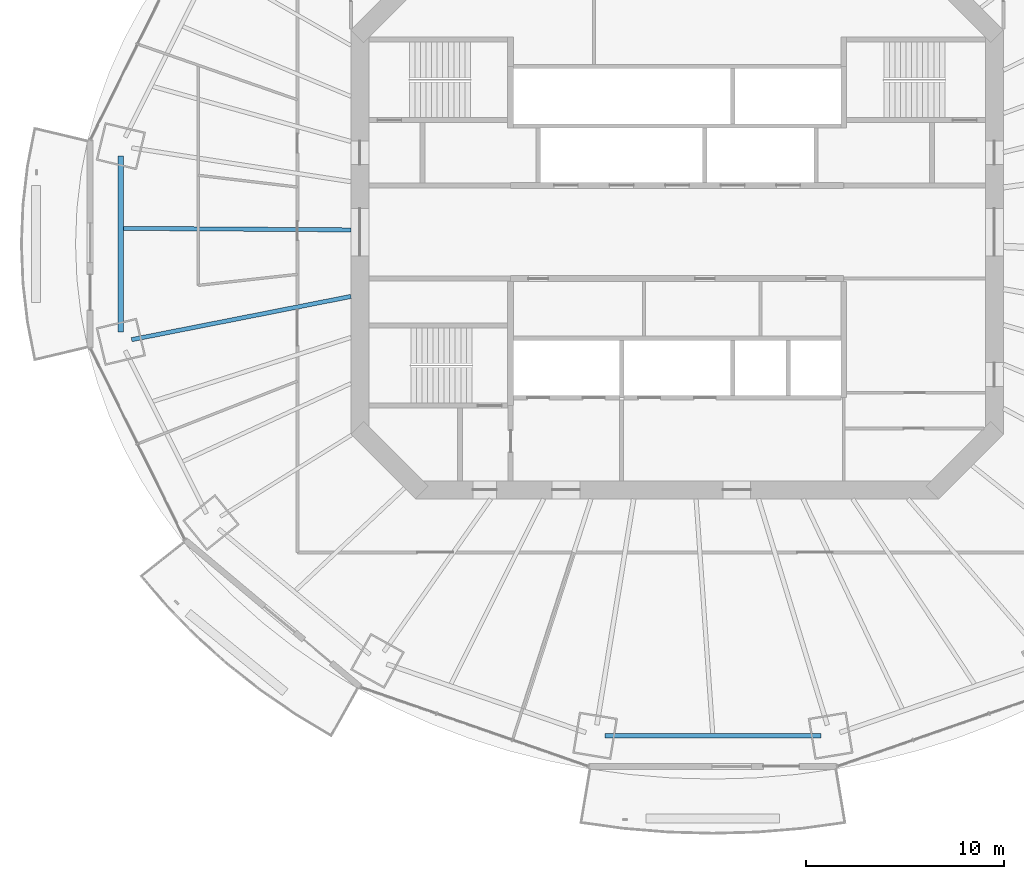
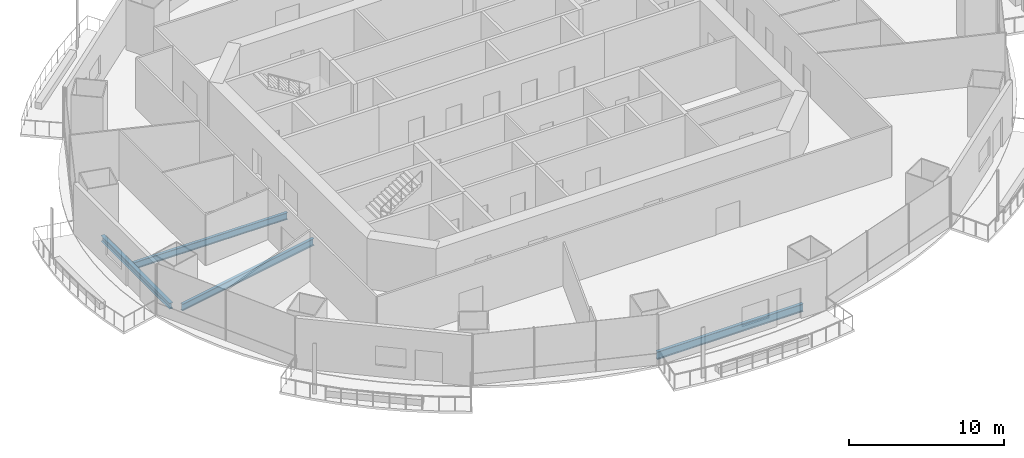
# One storey, part 3 of 20: 4 beams.
"""IFC4 building model written with IfcOpenShell, lengths in metres."""

from ifc_helpers import new_model, si_unit, direction, frame, origin, origin_2d, place, context, subcontext, project, spatial, i_section, extrude, material, material_profile, profile_set, type_object, element, save


model = new_model("IFC4")

# Units and contexts
model_context = context("Model", 3, precision=1e-05, world=origin(), true_north=direction((0.0, 1.0)))
body_context = subcontext(model_context, "Body", "Model", "MODEL_VIEW")
ifc_project = project(units=[si_unit("LENGTHUNIT", "METRE"), si_unit("AREAUNIT", "SQUARE_METRE"), si_unit("VOLUMEUNIT", "CUBIC_METRE"), si_unit("PLANEANGLEUNIT", "RADIAN"), si_unit("MASSUNIT", "GRAM", prefix="KILO")], contexts=[model_context])

# Site, building, storey
site_placement = place(None, origin())
site = spatial("IfcSite", under=ifc_project, at=site_placement, CompositionType="ELEMENT")
building_placement = place(site_placement, origin())
building = spatial("IfcBuilding", under=site, at=building_placement, Name="Marenthal Gate Tower", CompositionType="ELEMENT")
storey_placement = place(building_placement, frame((0.0, 0.0, 190.10009765625)))
storey = spatial("IfcBuildingStorey", under=building, at=storey_placement, Name="L41", CompositionType="ELEMENT", Elevation=190.10009765625)

# Beams
ifc_material_1 = material(Name="Steel S355", Category="steel")
ifc_material_profile_1 = material_profile(ifc_material_1, i_section(OverallWidth=0.279052734375, OverallDepth=0.4619140625, WebThickness=0.0107421875, FlangeThickness=0.017333984375, FilletRadius=0.010009765625, at=origin_2d()), Name="W460X113")
ifc_profile_set_1 = profile_set([ifc_material_profile_1], Name="Steel S355")
beam_type_1 = type_object("IfcBeamType", Name="W460X113 beam", PredefinedType="BEAM", material=ifc_profile_set_1)
beam_1_placement = place(storey_placement, frame((-28.05029296875, 3.82958984375, -0.4111328125), z_axis=(0.0, -1.0, 0.0), x_axis=(1.0, 0.0, 0.0)))
element("IfcBeam", 1, at=beam_1_placement, inside=storey, type_object=beam_type_1, Name="BM-L41-48", PredefinedType="BEAM", context=body_context, shape_type="SweptSolid", body=[
    extrude(i_section(OverallWidth=0.279052734375, OverallDepth=0.4619140625, WebThickness=0.0107421875, FlangeThickness=0.017333984375, FilletRadius=0.010009765625, at=origin_2d()), origin(), (0.0, 0.0, 1.0), 8.859130859375),
])
ifc_material_2 = material(Name="Steel S355", Category="steel")
ifc_material_profile_2 = material_profile(ifc_material_2, i_section(OverallWidth=0.2099609375, OverallDepth=0.535888671875, WebThickness=0.010986328125, FlangeThickness=0.017333984375, FilletRadius=0.0126953125, at=origin_2d()), Name="W530X101")
ifc_profile_set_2 = profile_set([ifc_material_profile_2], Name="Steel S355")
beam_type_2 = type_object("IfcBeamType", Name="W530X101 beam", PredefinedType="BEAM", material=ifc_profile_set_2)
beam_2_placement = place(storey_placement, frame((-27.91064453125, 0.188232421875, -0.447998046875), z_axis=(0.99997720015, -0.006752716538, 0.0), x_axis=(0.006752716538, 0.99997720015, 0.0)))
element("IfcBeam", 2, at=beam_2_placement, inside=storey, type_object=beam_type_2, Name="BM-L41-28", PredefinedType="BEAM", context=body_context, shape_type="SweptSolid", body=[
    extrude(i_section(OverallWidth=0.2099609375, OverallDepth=0.535888671875, WebThickness=0.010986328125, FlangeThickness=0.017333984375, FilletRadius=0.0126953125, at=origin_2d()), origin(), (0.0, 0.0, 1.0), 11.4609375),
])
ifc_material_3 = material(Name="Steel S355", Category="steel")
ifc_material_profile_3 = material_profile(ifc_material_3, i_section(OverallWidth=0.2119140625, OverallDepth=0.5439453125, WebThickness=0.01318359375, FlangeThickness=0.021240234375, FilletRadius=0.0126953125, at=origin_2d()), Name="W530X123")
ifc_profile_set_3 = profile_set([ifc_material_profile_3], Name="Steel S355")
beam_type_3 = type_object("IfcBeamType", Name="W530X123 beam", PredefinedType="BEAM", material=ifc_profile_set_3)
beam_3_placement = place(storey_placement, frame((-27.509765625, -5.425537109375, -0.4521484375), z_axis=(0.981102762899, 0.193487386233, 0.0), x_axis=(-0.193487386233, 0.981102762899, 0.0)))
element("IfcBeam", 3, at=beam_3_placement, inside=storey, type_object=beam_type_3, Name="BM-L41-09", PredefinedType="BEAM", context=body_context, shape_type="SweptSolid", body=[
    extrude(i_section(OverallWidth=0.2119140625, OverallDepth=0.5439453125, WebThickness=0.01318359375, FlangeThickness=0.021240234375, FilletRadius=0.0126953125, at=origin_2d()), origin(), (0.0, 0.0, 1.0), 11.27294921875),
])
ifc_material_4 = material(Name="Steel S355", Category="steel")
ifc_material_profile_4 = material_profile(ifc_material_4, i_section(OverallWidth=0.22900390625, OverallDepth=0.612060546875, WebThickness=0.011962890625, FlangeThickness=0.01953125, FilletRadius=0.0126953125, at=origin_2d()), Name="W610X125")
ifc_profile_set_4 = profile_set([ifc_material_profile_4], Name="Steel S355")
beam_type_4 = type_object("IfcBeamType", Name="W610X125 beam", PredefinedType="BEAM", material=ifc_profile_set_4)
beam_4_placement = place(storey_placement, frame((-3.6494140625, -25.395263671875, -0.486083984375), z_axis=(1.0, 0.0, 0.0), x_axis=(0.0, 1.0, 0.0)))
element("IfcBeam", 4, at=beam_4_placement, inside=storey, type_object=beam_type_4, Name="BM-L41-52", PredefinedType="BEAM", context=body_context, shape_type="SweptSolid", body=[
    extrude(i_section(OverallWidth=0.22900390625, OverallDepth=0.612060546875, WebThickness=0.011962890625, FlangeThickness=0.01953125, FilletRadius=0.0126953125, at=origin_2d()), origin(), (0.0, 0.0, 1.0), 10.89892578125),
])

save(model, "model.ifc")
